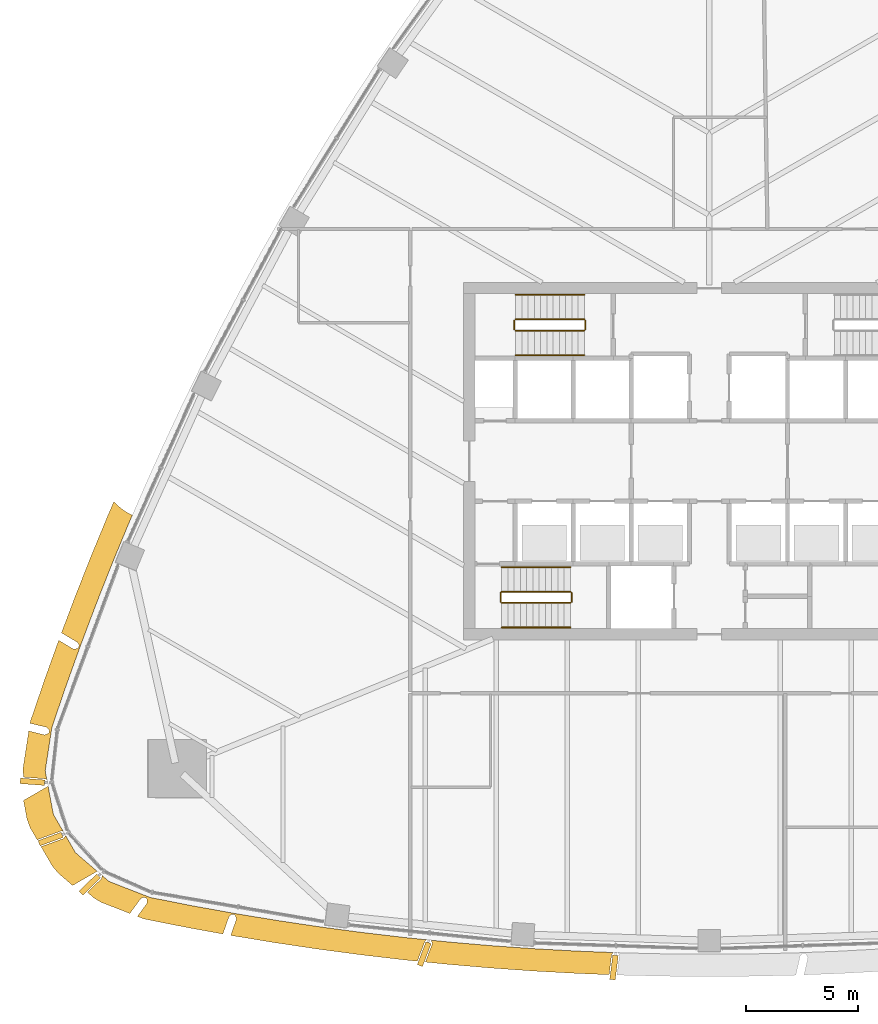
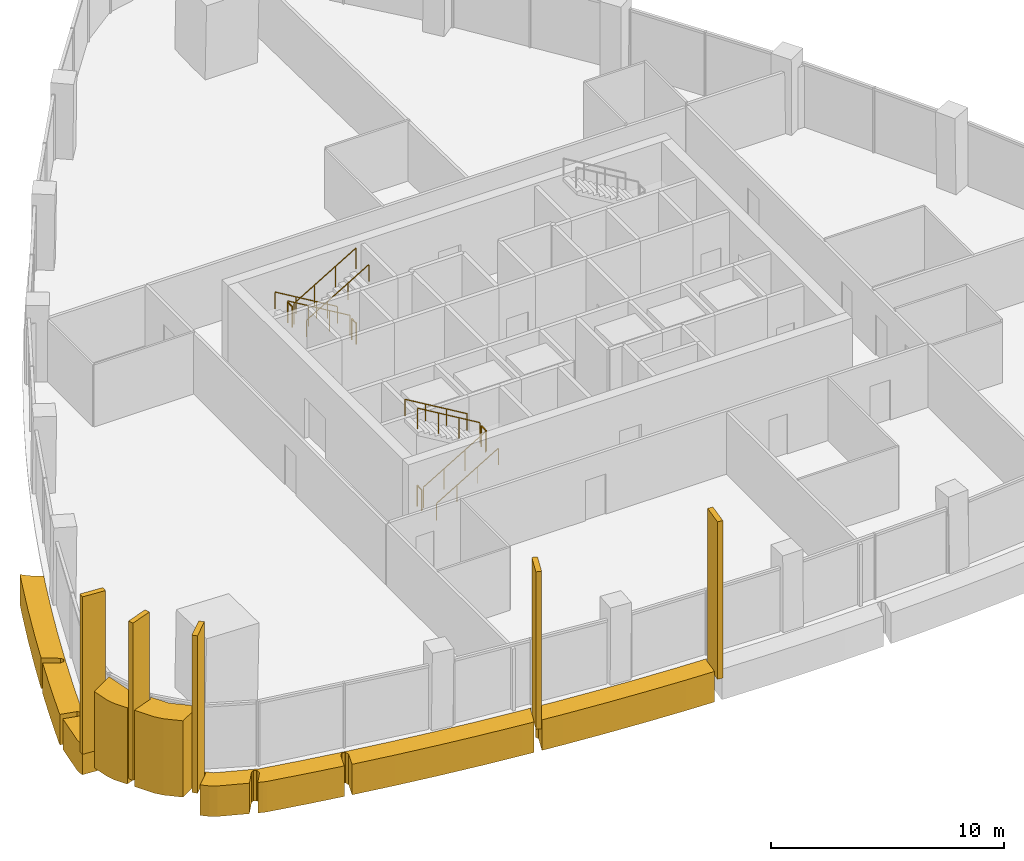
# One storey, part 15 of 17: 12 railings, 10 coverings.
"""IFC4 building model written with IfcOpenShell, lengths in metres."""

from ifc_helpers import new_model, si_unit, direction, frame, origin, origin_2d, place, context, subcontext, project, spatial, polyline, rectangle, circle, outline, extrude, material, layer, layer_set, material_profile, profile_set, type_object, element, save


model = new_model("IFC4")

# Units and contexts
model_context = context("Model", 3, precision=1e-05, world=origin(), true_north=direction((0.0, 1.0)))
body_context = subcontext(model_context, "Body", "Model", "MODEL_VIEW")
ifc_project = project(units=[si_unit("LENGTHUNIT", "METRE"), si_unit("AREAUNIT", "SQUARE_METRE"), si_unit("VOLUMEUNIT", "CUBIC_METRE"), si_unit("PLANEANGLEUNIT", "RADIAN"), si_unit("MASSUNIT", "GRAM", prefix="KILO")], contexts=[model_context])

# Site, building, storey
site_placement = place(None, origin())
site = spatial("IfcSite", under=ifc_project, at=site_placement, CompositionType="ELEMENT")
building_placement = place(site_placement, origin())
building = spatial("IfcBuilding", under=site, at=building_placement, Name="Sierra Prisma Convention Tower", CompositionType="ELEMENT")
storey_placement = place(building_placement, frame((0.0, 0.0, 169.800048828125)))
storey = spatial("IfcBuildingStorey", under=building, at=storey_placement, Name="L37", CompositionType="ELEMENT", Elevation=169.800048828125)

# Coverings
ifc_material_1 = material(Name="Aluminium composite bronze anodised", Category="aluminium")
ifc_layer_1 = layer(ifc_material_1, 1.199951171875)
ifc_layer_set_1 = layer_set([ifc_layer_1], Name="Bronze corner pier")
covering_type_1 = type_object("IfcCoveringType", Name="Bronze corner pier", PredefinedType="CLADDING", material=ifc_layer_set_1)
covering_1_placement = place(storey_placement, frame((0.0, 0.0, -0.60009765625)))
element("IfcCovering", 1, at=covering_1_placement, inside=storey, type_object=covering_type_1, Name="Corner pier SW L37.1", PredefinedType="CLADDING", context=body_context, shape_type="SweptSolid", body=[
    extrude(outline(polyline([(-29.37890625, -15.819091796875), (-28.940185546875, -16.578857421875), (-29.02490234375, -16.569091796875), (-29.029541015625, -16.568603515625), (-29.0341796875, -16.56884765625), (-29.038818359375, -16.5693359375), (-29.043212890625, -16.5703125), (-29.047607421875, -16.57177734375), (-30.081298828125, -16.947998046875), (-30.0859375, -16.94970703125), (-30.090087890625, -16.9521484375), (-30.09423828125, -16.954833984375), (-30.09814453125, -16.9580078125), (-30.1015625, -16.961669921875), (-30.103515625, -16.9638671875), (-30.418212890625, -16.4189453125), (-30.558349609375, -16.04052734375), (-30.71728515625, -15.194091796875), (-29.615478515625, -14.558349609375), (-29.37890625, -15.819091796875)])), origin(), (0.0, 0.0, 1.0), 4.0),
])
covering_2_placement = place(storey_placement, frame((0.0, 0.0, -0.60009765625)))
element("IfcCovering", 2, at=covering_2_placement, inside=storey, type_object=covering_type_1, Name="Corner pier SW L37.2", PredefinedType="CLADDING", context=body_context, shape_type="SweptSolid", body=[
    extrude(outline(polyline([(-27.41552734375, -18.368896484375), (-28.51708984375, -19.004638671875), (-29.170654296875, -18.444091796875), (-29.42822265625, -18.13330078125), (-29.9296875, -17.26513671875), (-28.927978515625, -16.900634765625), (-28.923583984375, -16.898681640625), (-28.919677734375, -16.896484375), (-28.915771484375, -16.89404296875), (-28.912109375, -16.89111328125), (-28.90869140625, -16.887939453125), (-28.90576171875, -16.884521484375), (-28.903076171875, -16.880615234375), (-28.830810546875, -16.768310546875), (-28.38916015625, -17.533447265625), (-27.41552734375, -18.368896484375)])), origin(), (0.0, 0.0, 1.0), 4.0),
])
ifc_material_2 = material(Name="Aluminium 6063-T6 bronze anodised", Category="aluminium")
ifc_material_profile = material_profile(ifc_material_2, rectangle(XDim=1.10009765625, YDim=0.25, at=origin_2d()), Name="ALU FIN 1100x250")
ifc_profile_set = profile_set([ifc_material_profile], Name="Aluminium 6063-T6 bronze anodised")
covering_type_2 = type_object("IfcCoveringType", Name="Bronze facade fin", PredefinedType="CLADDING", material=ifc_profile_set)
for number, where, z_axis, x_axis, name in (
    (3, (-12.770263671875, -22.077880859375, -0.300048828125), (0.0, 0.0, 1.0), (-0.355043905705, -0.934849626957, 0.0), "Fin L37.5"),
    (4, (-4.270751953125, -22.675537109375, -0.300048828125), (0.0, 0.0, 1.0), (-0.125840268436, -0.992050516274, 0.0), "Fin L37.8"),
    (5, (-30.315673828125, -14.359130859375, -0.300048828125), (0.0, 0.0, 1.0), (-0.99710196546, 0.0760767407, 0.0), "Fin L37.61"),
    (6, (-29.504638671875, -16.92431640625, -0.300048828125), (0.0, 0.0, 1.0), (-0.939692620786, -0.342020143326, 0.0), "Fin L37.62"),
    (7, (-27.748291015625, -18.96337890625, -0.300048828125), (0.0, 0.0, 1.0), (-0.714923233556, -0.699202953456, 0.0), "Fin L37.63"),
):
    element("IfcCovering", number, at=place(storey_placement, frame(where, z_axis=z_axis, x_axis=x_axis)), inside=storey, type_object=covering_type_2, Name=name, ObjectType="FIN", PredefinedType="CLADDING", context=body_context, shape_type="SweptSolid", body=[
        extrude(rectangle(XDim=1.10009765625, YDim=0.25, at=origin_2d()), origin(), (0.0, 0.0, 1.0), 8.25),
    ])
ifc_material_3 = material(Name="Aluminium composite bronze anodised", Category="aluminium")
ifc_layer_2 = layer(ifc_material_3, 1.0)
ifc_layer_set_2 = layer_set([ifc_layer_2], Name="Bronze spandrel band")
covering_type_3 = type_object("IfcCoveringType", Name="Bronze spandrel band", PredefinedType="CLADDING", material=ifc_layer_set_2)
covering_3_placement = place(storey_placement, frame((0.0, 0.0, -1.60009765625)))
element("IfcCovering", 8, at=covering_3_placement, inside=storey, type_object=covering_type_3, Name="Spandrel band L37.1", PredefinedType="CLADDING", context=body_context, shape_type="SweptSolid", body=[
    extrude(outline(polyline([(-26.02685546875, -2.843505859375), (-26.7666015625, -4.636474609375), (-27.478515625, -6.440673828125), (-28.162109375, -8.255615234375), (-28.817138671875, -10.081298828125), (-29.44384765625, -11.91650390625), (-29.744384765625, -13.873291015625), (-29.67041015625, -14.2666015625), (-29.734130859375, -14.232177734375), (-29.73876953125, -14.22998046875), (-29.74365234375, -14.228271484375), (-29.748779296875, -14.22705078125), (-29.75390625, -14.226318359375), (-30.708984375, -14.153564453125), (-30.72705078125, -14.057861328125), (-30.732666015625, -13.7216796875), (-30.4814453125, -12.08447265625), (-29.7802734375, -12.255859375), (-29.775146484375, -12.2568359375), (-29.770263671875, -12.25732421875), (-29.76513671875, -12.257080078125), (-29.76025390625, -12.256591796875), (-29.755126953125, -12.255615234375), (-29.75048828125, -12.25390625), (-29.60986328125, -12.2001953125), (-29.60546875, -12.1982421875), (-29.601318359375, -12.196044921875), (-29.597412109375, -12.193359375), (-29.593505859375, -12.190185546875), (-29.590087890625, -12.186767578125), (-29.587158203125, -12.18310546875), (-29.584716796875, -12.17919921875), (-29.58251953125, -12.1748046875), (-29.58056640625, -12.17041015625), (-29.5791015625, -12.165771484375), (-29.578125, -12.1611328125), (-29.56298828125, -12.062255859375), (-29.5625, -12.0576171875), (-29.5625, -12.052490234375), (-29.56298828125, -12.0478515625), (-29.563720703125, -12.04296875), (-29.565185546875, -12.038330078125), (-29.56689453125, -12.03369140625), (-29.569091796875, -12.029541015625), (-29.572021484375, -12.025390625), (-29.574951171875, -12.021728515625), (-29.578369140625, -12.018310546875), (-29.6748046875, -11.927978515625), (-29.6787109375, -11.924560546875), (-29.682861328125, -11.921875), (-29.6875, -11.919189453125), (-29.692138671875, -11.91748046875), (-29.697021484375, -11.916015625), (-30.42578125, -11.73779296875), (-30.390380859375, -11.593505859375), (-29.763427734375, -9.758056640625), (-29.75830078125, -9.743408203125), (-29.14111328125, -8.023193359375), (-28.493896484375, -8.40673828125), (-28.48974609375, -8.408935546875), (-28.485595703125, -8.410888671875), (-28.481201171875, -8.412109375), (-28.4765625, -8.4130859375), (-28.471923828125, -8.413818359375), (-28.46728515625, -8.413818359375), (-28.462646484375, -8.41357421875), (-28.30419921875, -8.39501953125), (-28.29931640625, -8.394287109375), (-28.29443359375, -8.392822265625), (-28.289794921875, -8.39111328125), (-28.285400390625, -8.388916015625), (-28.28125, -8.38623046875), (-28.27734375, -8.38330078125), (-28.273681640625, -8.3798828125), (-28.2705078125, -8.3759765625), (-28.267578125, -8.371826171875), (-28.26513671875, -8.36767578125), (-28.26318359375, -8.363037109375), (-28.22802734375, -8.269287109375), (-28.226318359375, -8.264404296875), (-28.225341796875, -8.259521484375), (-28.224853515625, -8.25439453125), (-28.224853515625, -8.2490234375), (-28.225341796875, -8.243896484375), (-28.226318359375, -8.239013671875), (-28.22802734375, -8.23388671875), (-28.22998046875, -8.229248046875), (-28.232666015625, -8.224853515625), (-28.298828125, -8.12158203125), (-28.301513671875, -8.117919921875), (-28.3046875, -8.114501953125), (-28.30810546875, -8.111083984375), (-28.3115234375, -8.1083984375), (-28.3154296875, -8.105712890625), (-29.017333984375, -7.689697265625), (-28.414306640625, -6.088134765625), (-28.40869140625, -6.07373046875), (-27.697021484375, -4.26953125), (-27.691162109375, -4.255126953125), (-26.951416015625, -2.462158203125), (-26.9453125, -2.447998046875), (-26.669189453125, -1.80712890625), (-26.62255859375, -1.86181640625), (-26.4443359375, -2.033203125), (-26.25, -2.186279296875), (-26.041748046875, -2.31982421875), (-25.844482421875, -2.42041015625), (-26.02685546875, -2.843505859375)])), origin(), (0.0, 0.0, 1.0), 1.60009765625),
])
covering_4_placement = place(storey_placement, frame((0.0, 0.0, -1.60009765625)))
element("IfcCovering", 9, at=covering_4_placement, inside=storey, type_object=covering_type_3, Name="Spandrel band L37.3", PredefinedType="CLADDING", context=body_context, shape_type="SweptSolid", body=[
    extrude(outline(polyline([(-19.31689453125, -20.57666015625), (-17.398681640625, -20.8623046875), (-15.47607421875, -21.1181640625), (-13.5498046875, -21.343994140625), (-12.676513671875, -21.4326171875), (-12.727294921875, -21.484130859375), (-12.730712890625, -21.488037109375), (-12.73388671875, -21.4921875), (-12.736328125, -21.49658203125), (-12.738525390625, -21.50146484375), (-13.07861328125, -22.39697265625), (-13.65087890625, -22.3388671875), (-13.666259765625, -22.337158203125), (-15.592529296875, -22.111328125), (-15.60791015625, -22.109375), (-17.530517578125, -21.853515625), (-17.5458984375, -21.851318359375), (-19.46435546875, -21.565673828125), (-19.479736328125, -21.563232421875), (-21.393310546875, -21.247802734375), (-21.40869140625, -21.2451171875), (-21.43701171875, -21.239990234375), (-21.1875, -20.529052734375), (-21.18603515625, -20.524658203125), (-21.18505859375, -20.52001953125), (-21.1845703125, -20.515380859375), (-21.1845703125, -20.5107421875), (-21.184814453125, -20.506103515625), (-21.185791015625, -20.50146484375), (-21.18701171875, -20.4970703125), (-21.236083984375, -20.345458984375), (-21.23779296875, -20.3408203125), (-21.239990234375, -20.336181640625), (-21.24267578125, -20.33203125), (-21.245849609375, -20.328125), (-21.249267578125, -20.324462890625), (-21.2529296875, -20.3212890625), (-21.257080078125, -20.318359375), (-21.261474609375, -20.31591796875), (-21.265869140625, -20.31396484375), (-21.270751953125, -20.3125), (-21.275390625, -20.311279296875), (-21.374267578125, -20.295166015625), (-21.37939453125, -20.294677734375), (-21.384521484375, -20.294677734375), (-21.3896484375, -20.295166015625), (-21.394775390625, -20.296142578125), (-21.399658203125, -20.297607421875), (-21.404296875, -20.2998046875), (-21.408935546875, -20.30224609375), (-21.4130859375, -20.30517578125), (-21.4169921875, -20.30859375), (-21.505126953125, -20.393798828125), (-21.50830078125, -20.397216796875), (-21.51123046875, -20.400634765625), (-21.513671875, -20.404541015625), (-21.515869140625, -20.40869140625), (-21.517578125, -20.4130859375), (-21.785888671875, -21.177001953125), (-23.317138671875, -20.89990234375), (-23.33251953125, -20.89697265625), (-25.2353515625, -20.52197265625), (-25.40478515625, -20.47265625), (-25.61669921875, -20.39013671875), (-25.19482421875, -19.81494140625), (-25.192138671875, -19.810791015625), (-25.189697265625, -19.806396484375), (-25.18798828125, -19.8017578125), (-25.1865234375, -19.797119140625), (-25.185791015625, -19.7919921875), (-25.185302734375, -19.787109375), (-25.185302734375, -19.7822265625), (-25.196044921875, -19.614501953125), (-25.196533203125, -19.60986328125), (-25.197509765625, -19.605224609375), (-25.198974609375, -19.6005859375), (-25.20068359375, -19.59619140625), (-25.202880859375, -19.59228515625), (-25.20556640625, -19.588134765625), (-25.20849609375, -19.58447265625), (-25.2119140625, -19.581298828125), (-25.21533203125, -19.578125), (-25.21923828125, -19.575439453125), (-25.223388671875, -19.572998046875), (-25.227783203125, -19.571044921875), (-25.321044921875, -19.534912109375), (-25.32568359375, -19.533203125), (-25.33056640625, -19.5322265625), (-25.33544921875, -19.531494140625), (-25.34033203125, -19.531494140625), (-25.34521484375, -19.531982421875), (-25.35009765625, -19.53271484375), (-25.35498046875, -19.5341796875), (-25.359619140625, -19.535888671875), (-25.364013671875, -19.5380859375), (-25.461669921875, -19.593994140625), (-25.466064453125, -19.596923828125), (-25.47021484375, -19.60009765625), (-25.473876953125, -19.60400390625), (-25.47705078125, -19.60791015625), (-25.95458984375, -20.2587890625), (-27.24951171875, -19.75439453125), (-27.5380859375, -19.58154296875), (-27.853515625, -19.310791015625), (-27.23291015625, -18.703857421875), (-27.2294921875, -18.7001953125), (-27.226318359375, -18.6962890625), (-27.223876953125, -18.69189453125), (-27.2216796875, -18.687255859375), (-27.219970703125, -18.6826171875), (-27.21875, -18.677734375), (-27.1953125, -18.557861328125), (-26.88671875, -18.822509765625), (-25.0419921875, -19.541015625), (-23.13916015625, -19.915771484375), (-21.230712890625, -20.260986328125), (-19.31689453125, -20.57666015625)])), origin(), (0.0, 0.0, 1.0), 1.60009765625),
])
covering_5_placement = place(storey_placement, frame((0.0, 0.0, -1.60009765625)))
element("IfcCovering", 10, at=covering_5_placement, inside=storey, type_object=covering_type_3, Name="Spandrel band L37.9", PredefinedType="CLADDING", context=body_context, shape_type="SweptSolid", body=[
    extrude(outline(polyline([(-12.40869140625, -21.6162109375), (-12.408203125, -21.611083984375), (-12.408203125, -21.606201171875), (-12.408447265625, -21.601318359375), (-12.409423828125, -21.596435546875), (-12.410888671875, -21.591552734375), (-12.458251953125, -21.454833984375), (-11.6201171875, -21.539794921875), (-9.687744140625, -21.705810546875), (-7.753173828125, -21.841552734375), (-5.81640625, -21.947021484375), (-4.307373046875, -22.005859375), (-4.365478515625, -22.08447265625), (-4.368408203125, -22.0888671875), (-4.370849609375, -22.09326171875), (-4.372802734375, -22.097900390625), (-4.374267578125, -22.102783203125), (-4.375, -22.10791015625), (-4.48828125, -22.99951171875), (-5.855224609375, -22.9462890625), (-5.870849609375, -22.945556640625), (-7.8076171875, -22.840087890625), (-7.822998046875, -22.839111328125), (-9.7578125, -22.703369140625), (-9.773193359375, -22.7021484375), (-11.705810546875, -22.536376953125), (-11.72119140625, -22.534912109375), (-12.718017578125, -22.43359375), (-12.411376953125, -21.625732421875), (-12.409912109375, -21.62109375), (-12.40869140625, -21.6162109375)])), origin(), (0.0, 0.0, 1.0), 1.60009765625),
])

# Railings
ifc_material_4 = material(Name="Stainless steel", Category="steel")
railing_type_1 = type_object("IfcRailingType", Name="Exit stair handrail", PredefinedType="HANDRAIL", material=ifc_material_4)
railing_1_placement = place(storey_placement, frame((-9.300048828125, -7.449951171875, 0.16650390625)))
element("IfcRailing", 11, at=railing_1_placement, inside=storey, type_object=railing_type_1, Name="L37 S1 stair handrail 1", PredefinedType="HANDRAIL", context=body_context, shape_type="SweptSolid", body=[
    extrude(circle(Radius=0.02392578125, at=origin_2d()), frame((0.0, 0.0, 0.8759765625), z_axis=(0.85927862911, 0.0, 0.511507807912), x_axis=(0.0, 1.0, 0.0)), (0.0, 0.0, 1.0), 3.58447265625),
    extrude(circle(Radius=0.02099609375, at=origin_2d()), origin(), (0.0, 0.0, 1.0), 0.851806640625),
    extrude(circle(Radius=0.02099609375, at=origin_2d()), frame((1.026611328125, 0.0, 0.611083984375)), (0.0, 0.0, 1.0), 0.851806640625),
    extrude(circle(Radius=0.02099609375, at=origin_2d()), frame((2.053466796875, 0.0, 1.222412109375)), (0.0, 0.0, 1.0), 0.851806640625),
    extrude(circle(Radius=0.02099609375, at=origin_2d()), frame((3.080078125, 0.0, 1.83349609375)), (0.0, 0.0, 1.0), 0.851806640625),
])
railing_2_placement = place(storey_placement, frame((-6.219970703125, -4.75, 2.16650390625)))
element("IfcRailing", 12, at=railing_2_placement, inside=storey, type_object=railing_type_1, Name="L37 S1 stair handrail 2", PredefinedType="HANDRAIL", context=body_context, shape_type="SweptSolid", body=[
    extrude(circle(Radius=0.02392578125, at=origin_2d()), frame((0.0, 0.0, 0.8759765625), z_axis=(-0.85927862911, 0.0, 0.511507807912), x_axis=(0.0, -1.0, 0.0)), (0.0, 0.0, 1.0), 3.58447265625),
    extrude(circle(Radius=0.02099609375, at=origin_2d()), origin(), (0.0, 0.0, 1.0), 0.851806640625),
    extrude(circle(Radius=0.02099609375, at=origin_2d()), frame((-1.026611328125, 0.0, 0.611083984375)), (0.0, 0.0, 1.0), 0.851806640625),
    extrude(circle(Radius=0.02099609375, at=origin_2d()), frame((-2.053466796875, 0.0, 1.222412109375)), (0.0, 0.0, 1.0), 0.851806640625),
    extrude(circle(Radius=0.02099609375, at=origin_2d()), frame((-3.080078125, 0.0, 1.83349609375)), (0.0, 0.0, 1.0), 0.851806640625),
])
railing_3_placement = place(storey_placement, frame((-5.60009765625, 7.449951171875, 0.16650390625)))
element("IfcRailing", 13, at=railing_3_placement, inside=storey, type_object=railing_type_1, Name="L37 S3 stair handrail 1", PredefinedType="HANDRAIL", context=body_context, shape_type="SweptSolid", body=[
    extrude(circle(Radius=0.02392578125, at=origin_2d()), frame((0.0, 0.0, 0.8759765625), z_axis=(-0.859260807169, 0.0, 0.511537745687), x_axis=(0.0, -1.0, 0.0)), (0.0, 0.0, 1.0), 3.584228515625),
    extrude(circle(Radius=0.02099609375, at=origin_2d()), origin(), (0.0, 0.0, 1.0), 0.851806640625),
    extrude(circle(Radius=0.02099609375, at=origin_2d()), frame((-1.026611328125, 0.0, 0.611083984375)), (0.0, 0.0, 1.0), 0.851806640625),
    extrude(circle(Radius=0.02099609375, at=origin_2d()), frame((-2.05322265625, 0.0, 1.222412109375)), (0.0, 0.0, 1.0), 0.851806640625),
    extrude(circle(Radius=0.02099609375, at=origin_2d()), frame((-3.079833984375, 0.0, 1.83349609375)), (0.0, 0.0, 1.0), 0.851806640625),
])
railing_4_placement = place(storey_placement, frame((-8.679931640625, 4.75, 2.16650390625)))
element("IfcRailing", 14, at=railing_4_placement, inside=storey, type_object=railing_type_1, Name="L37 S3 stair handrail 2", PredefinedType="HANDRAIL", context=body_context, shape_type="SweptSolid", body=[
    extrude(circle(Radius=0.02392578125, at=origin_2d()), frame((0.0, 0.0, 0.8759765625), z_axis=(0.859260807169, 0.0, 0.511537745687), x_axis=(0.0, 1.0, 0.0)), (0.0, 0.0, 1.0), 3.584228515625),
    extrude(circle(Radius=0.02099609375, at=origin_2d()), origin(), (0.0, 0.0, 1.0), 0.851806640625),
    extrude(circle(Radius=0.02099609375, at=origin_2d()), frame((1.026611328125, 0.0, 0.611083984375)), (0.0, 0.0, 1.0), 0.851806640625),
    extrude(circle(Radius=0.02099609375, at=origin_2d()), frame((2.05322265625, 0.0, 1.222412109375)), (0.0, 0.0, 1.0), 0.851806640625),
    extrude(circle(Radius=0.02099609375, at=origin_2d()), frame((3.079833984375, 0.0, 1.83349609375)), (0.0, 0.0, 1.0), 0.851806640625),
])
ifc_material_5 = material(Name="Stainless steel", Category="steel")
railing_type_2 = type_object("IfcRailingType", Name="Stair guard 1100", PredefinedType="GUARDRAIL", material=ifc_material_5)
railing_5_placement = place(storey_placement, frame((-9.300048828125, -6.35009765625, 0.16650390625)))
element("IfcRailing", 15, at=railing_5_placement, inside=storey, type_object=railing_type_2, Name="L37 S1 stair guard 1", PredefinedType="GUARDRAIL", context=body_context, shape_type="SweptSolid", body=[
    extrude(circle(Radius=0.02392578125, at=origin_2d()), frame((0.0, 0.0, 1.076171875), z_axis=(0.85927862911, 0.0, 0.511507807912), x_axis=(0.0, 1.0, 0.0)), (0.0, 0.0, 1.0), 3.58447265625),
    extrude(circle(Radius=0.02099609375, at=origin_2d()), origin(), (0.0, 0.0, 1.0), 1.052001953125),
    extrude(circle(Radius=0.02099609375, at=origin_2d()), frame((1.026611328125, 0.0, 0.611083984375)), (0.0, 0.0, 1.0), 1.052001953125),
    extrude(circle(Radius=0.02099609375, at=origin_2d()), frame((2.053466796875, 0.0, 1.222412109375)), (0.0, 0.0, 1.0), 1.052001953125),
    extrude(circle(Radius=0.02099609375, at=origin_2d()), frame((3.080078125, 0.0, 1.83349609375)), (0.0, 0.0, 1.0), 1.052001953125),
])
railing_6_placement = place(storey_placement, frame((-6.169921875, -6.300048828125, 2.0)))
element("IfcRailing", 16, at=railing_6_placement, inside=storey, type_object=railing_type_2, Name="L37 S1 stair guard 2", PredefinedType="GUARDRAIL", context=body_context, shape_type="SweptSolid", body=[
    extrude(circle(Radius=0.02392578125, at=origin_2d()), frame((0.0, 0.0, 1.076171875), z_axis=(0.0, 1.0, 0.0), x_axis=(-1.0, 0.0, 0.0)), (0.0, 0.0, 1.0), 0.400146484375),
    extrude(circle(Radius=0.02099609375, at=origin_2d()), origin(), (0.0, 0.0, 1.0), 1.052001953125),
    extrude(circle(Radius=0.02099609375, at=origin_2d()), frame((0.0, 0.400146484375, 0.0)), (0.0, 0.0, 1.0), 1.052001953125),
])
railing_7_placement = place(storey_placement, frame((-6.219970703125, -5.85009765625, 2.16650390625)))
element("IfcRailing", 17, at=railing_7_placement, inside=storey, type_object=railing_type_2, Name="L37 S1 stair guard 3", PredefinedType="GUARDRAIL", context=body_context, shape_type="SweptSolid", body=[
    extrude(circle(Radius=0.02392578125, at=origin_2d()), frame((0.0, 0.0, 1.076171875), z_axis=(-0.85927862911, 0.0, 0.511507807912), x_axis=(0.0, -1.0, 0.0)), (0.0, 0.0, 1.0), 3.58447265625),
    extrude(circle(Radius=0.02099609375, at=origin_2d()), origin(), (0.0, 0.0, 1.0), 1.052001953125),
    extrude(circle(Radius=0.02099609375, at=origin_2d()), frame((-1.026611328125, 0.0, 0.611083984375)), (0.0, 0.0, 1.0), 1.052001953125),
    extrude(circle(Radius=0.02099609375, at=origin_2d()), frame((-2.053466796875, 0.0, 1.222412109375)), (0.0, 0.0, 1.0), 1.052001953125),
    extrude(circle(Radius=0.02099609375, at=origin_2d()), frame((-3.080078125, 0.0, 1.83349609375)), (0.0, 0.0, 1.0), 1.052001953125),
])
railing_8_placement = place(storey_placement, frame((-9.35009765625, -6.300048828125, 0.0)))
element("IfcRailing", 18, at=railing_8_placement, inside=storey, type_object=railing_type_2, Name="L37 S1 stair guard 4", PredefinedType="GUARDRAIL", context=body_context, shape_type="SweptSolid", body=[
    extrude(circle(Radius=0.02392578125, at=origin_2d()), frame((0.0, 0.0, 1.076171875), z_axis=(0.0, 1.0, 0.0), x_axis=(-1.0, 0.0, 0.0)), (0.0, 0.0, 1.0), 0.400146484375),
    extrude(circle(Radius=0.02099609375, at=origin_2d()), origin(), (0.0, 0.0, 1.0), 1.052001953125),
    extrude(circle(Radius=0.02099609375, at=origin_2d()), frame((0.0, 0.400146484375, 0.0)), (0.0, 0.0, 1.0), 1.052001953125),
])
railing_9_placement = place(storey_placement, frame((-5.60009765625, 6.35009765625, 0.16650390625)))
element("IfcRailing", 19, at=railing_9_placement, inside=storey, type_object=railing_type_2, Name="L37 S3 stair guard 1", PredefinedType="GUARDRAIL", context=body_context, shape_type="SweptSolid", body=[
    extrude(circle(Radius=0.02392578125, at=origin_2d()), frame((0.0, 0.0, 1.076171875), z_axis=(-0.859260807169, 0.0, 0.511537745687), x_axis=(0.0, -1.0, 0.0)), (0.0, 0.0, 1.0), 3.584228515625),
    extrude(circle(Radius=0.02099609375, at=origin_2d()), origin(), (0.0, 0.0, 1.0), 1.052001953125),
    extrude(circle(Radius=0.02099609375, at=origin_2d()), frame((-1.026611328125, 0.0, 0.611083984375)), (0.0, 0.0, 1.0), 1.052001953125),
    extrude(circle(Radius=0.02099609375, at=origin_2d()), frame((-2.05322265625, 0.0, 1.222412109375)), (0.0, 0.0, 1.0), 1.052001953125),
    extrude(circle(Radius=0.02099609375, at=origin_2d()), frame((-3.079833984375, 0.0, 1.83349609375)), (0.0, 0.0, 1.0), 1.052001953125),
])
railing_10_placement = place(storey_placement, frame((-8.72998046875, 6.300048828125, 2.0)))
element("IfcRailing", 20, at=railing_10_placement, inside=storey, type_object=railing_type_2, Name="L37 S3 stair guard 2", PredefinedType="GUARDRAIL", context=body_context, shape_type="SweptSolid", body=[
    extrude(circle(Radius=0.02392578125, at=origin_2d()), frame((0.0, 0.0, 1.076171875), z_axis=(0.0, -1.0, 0.0), x_axis=(1.0, 0.0, 0.0)), (0.0, 0.0, 1.0), 0.400146484375),
    extrude(circle(Radius=0.02099609375, at=origin_2d()), origin(), (0.0, 0.0, 1.0), 1.052001953125),
    extrude(circle(Radius=0.02099609375, at=origin_2d()), frame((0.0, -0.400146484375, 0.0)), (0.0, 0.0, 1.0), 1.052001953125),
])
railing_11_placement = place(storey_placement, frame((-8.679931640625, 5.85009765625, 2.16650390625)))
element("IfcRailing", 21, at=railing_11_placement, inside=storey, type_object=railing_type_2, Name="L37 S3 stair guard 3", PredefinedType="GUARDRAIL", context=body_context, shape_type="SweptSolid", body=[
    extrude(circle(Radius=0.02392578125, at=origin_2d()), frame((0.0, 0.0, 1.076171875), z_axis=(0.859260807169, 0.0, 0.511537745687), x_axis=(0.0, 1.0, 0.0)), (0.0, 0.0, 1.0), 3.584228515625),
    extrude(circle(Radius=0.02099609375, at=origin_2d()), origin(), (0.0, 0.0, 1.0), 1.052001953125),
    extrude(circle(Radius=0.02099609375, at=origin_2d()), frame((1.026611328125, 0.0, 0.611083984375)), (0.0, 0.0, 1.0), 1.052001953125),
    extrude(circle(Radius=0.02099609375, at=origin_2d()), frame((2.05322265625, 0.0, 1.222412109375)), (0.0, 0.0, 1.0), 1.052001953125),
    extrude(circle(Radius=0.02099609375, at=origin_2d()), frame((3.079833984375, 0.0, 1.83349609375)), (0.0, 0.0, 1.0), 1.052001953125),
])
railing_12_placement = place(storey_placement, frame((-5.550048828125, 6.300048828125, 0.0)))
element("IfcRailing", 22, at=railing_12_placement, inside=storey, type_object=railing_type_2, Name="L37 S3 stair guard 4", PredefinedType="GUARDRAIL", context=body_context, shape_type="SweptSolid", body=[
    extrude(circle(Radius=0.02392578125, at=origin_2d()), frame((0.0, 0.0, 1.076171875), z_axis=(0.0, -1.0, 0.0), x_axis=(1.0, 0.0, 0.0)), (0.0, 0.0, 1.0), 0.400146484375),
    extrude(circle(Radius=0.02099609375, at=origin_2d()), origin(), (0.0, 0.0, 1.0), 1.052001953125),
    extrude(circle(Radius=0.02099609375, at=origin_2d()), frame((0.0, -0.400146484375, 0.0)), (0.0, 0.0, 1.0), 1.052001953125),
])

save(model, "model.ifc")
